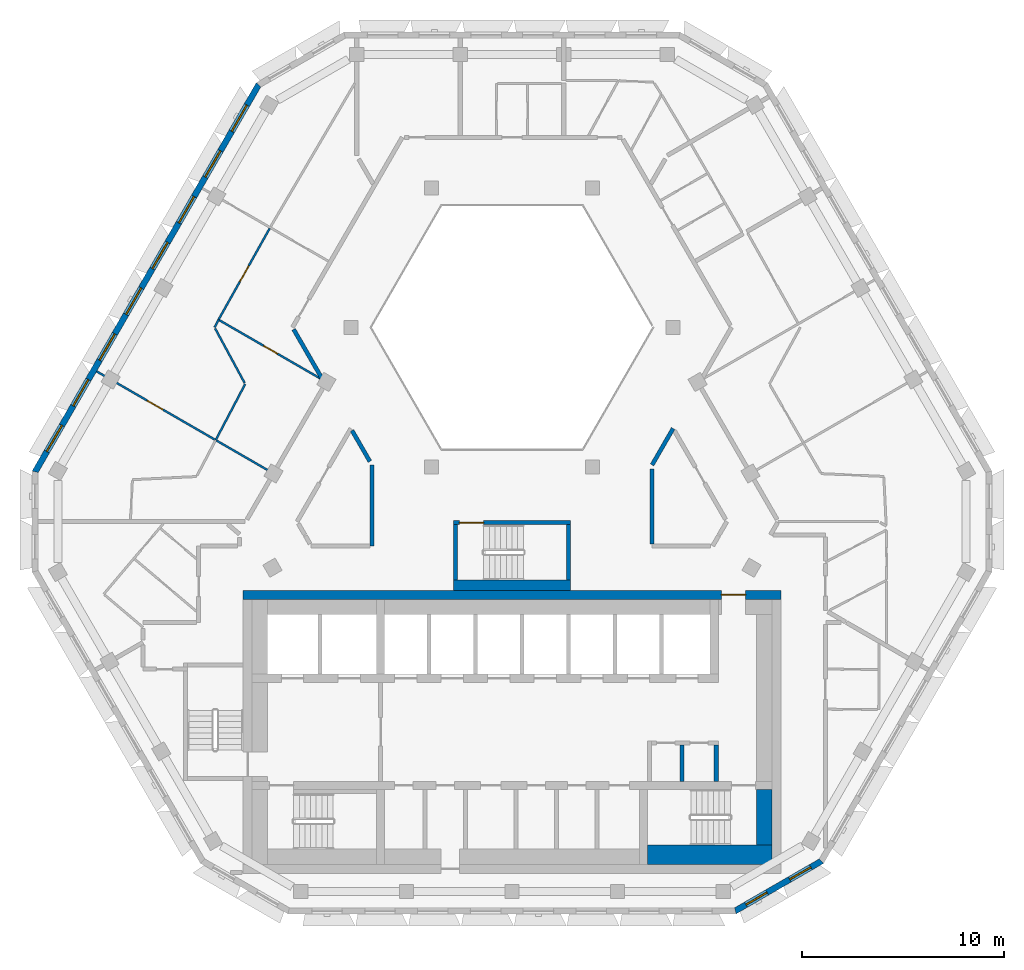
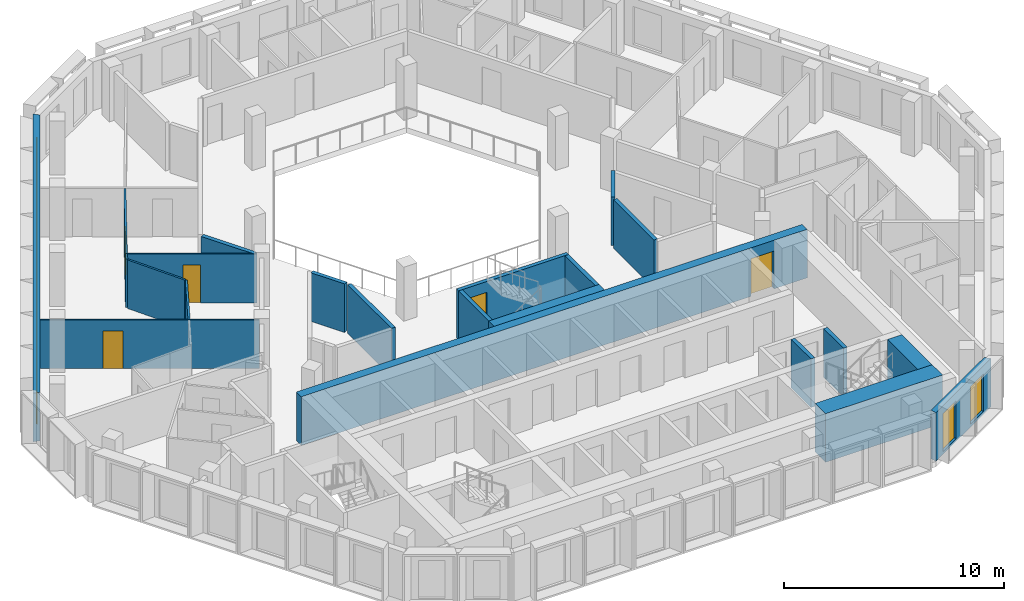
# One storey, part 5 of 16: 22 walls, 10 windows, 5 doors, 15 openings.
"""IFC4 building model written with IfcOpenShell, lengths in metres."""

from ifc_helpers import new_model, si_unit, direction, frame, frame_2d, origin, place, context, subcontext, project, spatial, polyline, rectangle, outline, extrude, material, layer, layer_set, type_object, element, fill, save


model = new_model("IFC4")

# Units and contexts
model_context = context("Model", 3, precision=1e-05, world=origin(), true_north=direction((0.0, 1.0)))
body_context = subcontext(model_context, "Body", "Model", "MODEL_VIEW")
ifc_project = project(units=[si_unit("LENGTHUNIT", "METRE"), si_unit("AREAUNIT", "SQUARE_METRE"), si_unit("VOLUMEUNIT", "CUBIC_METRE"), si_unit("PLANEANGLEUNIT", "RADIAN"), si_unit("MASSUNIT", "GRAM", prefix="KILO")], contexts=[model_context])

# Site, building, storey
site_placement = place(None, origin())
site = spatial("IfcSite", under=ifc_project, at=site_placement, CompositionType="ELEMENT")
building_placement = place(site_placement, origin())
building = spatial("IfcBuilding", under=site, at=building_placement, Name="Beryl Residences", CompositionType="ELEMENT")
storey_placement = place(building_placement, frame((0.0, 0.0, 232.800048828125)))
storey = spatial("IfcBuildingStorey", under=building, at=storey_placement, Name="L72", CompositionType="ELEMENT", Elevation=232.800048828125)

# Wall, openings, windows
ifc_material_1 = material(Name="Composite metal panel with mineral wool insulation")
ifc_layer_1 = layer(ifc_material_1, 0.300048828125)
ifc_layer_set_1 = layer_set([ifc_layer_1], Name="ES1 pale metal composite panel wall 300 mm")
wall_type_1 = type_object("IfcWallType", Name="ES1 pale metal composite panel wall 300 mm", PredefinedType="SOLIDWALL", material=ifc_layer_set_1)
wall_1_placement = place(storey_placement, frame((-12.513916015625, 20.02490234375, 0.0), z_axis=(0.0, 0.0, 1.0), x_axis=(-0.500003656944, -0.866023292436, 0.0)))
wall_1 = element("IfcWall", 1, at=wall_1_placement, inside=storey, type_object=wall_type_1, Name="ES1 external wall L72 NW", PredefinedType="SOLIDWALL", context=body_context, shape_type="SweptSolid", body=[
    extrude(outline(polyline([(0.0, -0.14990234375), (22.170166015625, -0.14990234375), (22.08984375, 0.14990234375), (0.080322265625, 0.14990234375), (0.0, -0.14990234375)])), origin(), (0.0, 0.0, 1.0), 2.699951171875),
])
opening_1_placement = place(wall_1_placement, frame((1.19091796875, 0.0, 0.14990234375)))
opening_1 = element("IfcOpeningElement", 2, at=opening_1_placement, cuts=wall_1, Name="Opening W1", PredefinedType="OPENING", context=body_context, shape_type="SweptSolid", body=[
    extrude(rectangle(XDim=1.5, YDim=2.10009765625, at=frame_2d((0.75, 1.050048828125))), frame((0.0, 0.159912109375, 0.0), z_axis=(0.0, -1.0, 0.0), x_axis=(1.0, 0.0, 0.0)), (0.0, 0.0, 1.0), 0.320068359375),
])
opening_2_placement = place(wall_1_placement, frame((3.803955078125, 0.0, 0.14990234375)))
opening_2 = element("IfcOpeningElement", 3, at=opening_2_placement, cuts=wall_1, Name="Opening W1", PredefinedType="OPENING", context=body_context, shape_type="SweptSolid", body=[
    extrude(rectangle(XDim=1.5, YDim=2.10009765625, at=frame_2d((0.75, 1.050048828125))), frame((0.0, 0.159912109375, 0.0), z_axis=(0.0, -1.0, 0.0), x_axis=(1.0, 0.0, 0.0)), (0.0, 0.0, 1.0), 0.320068359375),
])
opening_3_placement = place(wall_1_placement, frame((6.416015625, 0.0, 0.14990234375)))
opening_3 = element("IfcOpeningElement", 4, at=opening_3_placement, cuts=wall_1, Name="Opening W1", PredefinedType="OPENING", context=body_context, shape_type="SweptSolid", body=[
    extrude(rectangle(XDim=1.5, YDim=2.10009765625, at=frame_2d((0.75, 1.050048828125))), frame((0.0, 0.159912109375, 0.0), z_axis=(0.0, -1.0, 0.0), x_axis=(1.0, 0.0, 0.0)), (0.0, 0.0, 1.0), 0.320068359375),
])
opening_4_placement = place(wall_1_placement, frame((9.029052734375, 0.0, 0.14990234375)))
opening_4 = element("IfcOpeningElement", 5, at=opening_4_placement, cuts=wall_1, Name="Opening W1", PredefinedType="OPENING", context=body_context, shape_type="SweptSolid", body=[
    extrude(rectangle(XDim=1.5, YDim=2.10009765625, at=frame_2d((0.75, 1.050048828125))), frame((0.0, 0.159912109375, 0.0), z_axis=(0.0, -1.0, 0.0), x_axis=(1.0, 0.0, 0.0)), (0.0, 0.0, 1.0), 0.320068359375),
])
opening_5_placement = place(wall_1_placement, frame((11.64111328125, 0.0, 0.14990234375)))
opening_5 = element("IfcOpeningElement", 6, at=opening_5_placement, cuts=wall_1, Name="Opening W1", PredefinedType="OPENING", context=body_context, shape_type="SweptSolid", body=[
    extrude(rectangle(XDim=1.5, YDim=2.10009765625, at=frame_2d((0.75, 1.050048828125))), frame((0.0, 0.159912109375, 0.0), z_axis=(0.0, -1.0, 0.0), x_axis=(1.0, 0.0, 0.0)), (0.0, 0.0, 1.0), 0.320068359375),
])
opening_6_placement = place(wall_1_placement, frame((14.25390625, 0.0, 0.14990234375)))
opening_6 = element("IfcOpeningElement", 7, at=opening_6_placement, cuts=wall_1, Name="Opening W1", PredefinedType="OPENING", context=body_context, shape_type="SweptSolid", body=[
    extrude(rectangle(XDim=1.5, YDim=2.10009765625, at=frame_2d((0.75, 1.050048828125))), frame((0.0, 0.159912109375, 0.0), z_axis=(0.0, -1.0, 0.0), x_axis=(1.0, 0.0, 0.0)), (0.0, 0.0, 1.0), 0.320068359375),
])
opening_7_placement = place(wall_1_placement, frame((16.865966796875, 0.0, 0.14990234375)))
opening_7 = element("IfcOpeningElement", 8, at=opening_7_placement, cuts=wall_1, Name="Opening W1", PredefinedType="OPENING", context=body_context, shape_type="SweptSolid", body=[
    extrude(rectangle(XDim=1.5, YDim=2.10009765625, at=frame_2d((0.75, 1.050048828125))), frame((0.0, 0.159912109375, 0.0), z_axis=(0.0, -1.0, 0.0), x_axis=(1.0, 0.0, 0.0)), (0.0, 0.0, 1.0), 0.320068359375),
])
opening_8_placement = place(wall_1_placement, frame((19.47900390625, 0.0, 0.14990234375)))
opening_8 = element("IfcOpeningElement", 9, at=opening_8_placement, cuts=wall_1, Name="Opening W1", PredefinedType="OPENING", context=body_context, shape_type="SweptSolid", body=[
    extrude(rectangle(XDim=1.5, YDim=2.10009765625, at=frame_2d((0.75, 1.050048828125))), frame((0.0, 0.159912109375, 0.0), z_axis=(0.0, -1.0, 0.0), x_axis=(1.0, 0.0, 0.0)), (0.0, 0.0, 1.0), 0.320068359375),
])
ifc_material_2 = material(Name="Aluminium and clear glass", Category="aluminium")
window_type_1 = type_object("IfcWindowType", Name="W1 cell window 1500 x 2100 mm", PartitioningType="SINGLE_PANEL", PredefinedType="WINDOW", material=ifc_material_2)
window_1_placement = place(opening_1_placement, origin())
window_1 = element("IfcWindow", 10, at=window_1_placement, inside=storey, type_object=window_type_1, Name="W1 window L72 NW 1", OverallHeight=2.10009765625, OverallWidth=1.5, PartitioningType="SINGLE_PANEL", PredefinedType="WINDOW", context=body_context, shape_type="SweptSolid", body=[
    extrude(rectangle(XDim=1.5, YDim=2.10009765625, at=frame_2d((0.75, 1.050048828125))), frame((0.0, 0.030029296875, 0.0), z_axis=(0.0, -1.0, 0.0), x_axis=(1.0, 0.0, 0.0)), (0.0, 0.0, 1.0), 0.06005859375),
])
fill(opening_1, window_1)
window_2_placement = place(opening_2_placement, origin())
window_2 = element("IfcWindow", 11, at=window_2_placement, inside=storey, type_object=window_type_1, Name="W1 window L72 NW 2", OverallHeight=2.10009765625, OverallWidth=1.5, PartitioningType="SINGLE_PANEL", PredefinedType="WINDOW", context=body_context, shape_type="SweptSolid", body=[
    extrude(rectangle(XDim=1.5, YDim=2.10009765625, at=frame_2d((0.75, 1.050048828125))), frame((0.0, 0.030029296875, 0.0), z_axis=(0.0, -1.0, 0.0), x_axis=(1.0, 0.0, 0.0)), (0.0, 0.0, 1.0), 0.06005859375),
])
fill(opening_2, window_2)
window_3_placement = place(opening_3_placement, origin())
window_3 = element("IfcWindow", 12, at=window_3_placement, inside=storey, type_object=window_type_1, Name="W1 window L72 NW 3", OverallHeight=2.10009765625, OverallWidth=1.5, PartitioningType="SINGLE_PANEL", PredefinedType="WINDOW", context=body_context, shape_type="SweptSolid", body=[
    extrude(rectangle(XDim=1.5, YDim=2.10009765625, at=frame_2d((0.75, 1.050048828125))), frame((0.0, 0.030029296875, 0.0), z_axis=(0.0, -1.0, 0.0), x_axis=(1.0, 0.0, 0.0)), (0.0, 0.0, 1.0), 0.06005859375),
])
fill(opening_3, window_3)
window_4_placement = place(opening_4_placement, origin())
window_4 = element("IfcWindow", 13, at=window_4_placement, inside=storey, type_object=window_type_1, Name="W1 window L72 NW 4", OverallHeight=2.10009765625, OverallWidth=1.5, PartitioningType="SINGLE_PANEL", PredefinedType="WINDOW", context=body_context, shape_type="SweptSolid", body=[
    extrude(rectangle(XDim=1.5, YDim=2.10009765625, at=frame_2d((0.75, 1.050048828125))), frame((0.0, 0.030029296875, 0.0), z_axis=(0.0, -1.0, 0.0), x_axis=(1.0, 0.0, 0.0)), (0.0, 0.0, 1.0), 0.06005859375),
])
fill(opening_4, window_4)
window_5_placement = place(opening_5_placement, origin())
window_5 = element("IfcWindow", 14, at=window_5_placement, inside=storey, type_object=window_type_1, Name="W1 window L72 NW 5", OverallHeight=2.10009765625, OverallWidth=1.5, PartitioningType="SINGLE_PANEL", PredefinedType="WINDOW", context=body_context, shape_type="SweptSolid", body=[
    extrude(rectangle(XDim=1.5, YDim=2.10009765625, at=frame_2d((0.75, 1.050048828125))), frame((0.0, 0.030029296875, 0.0), z_axis=(0.0, -1.0, 0.0), x_axis=(1.0, 0.0, 0.0)), (0.0, 0.0, 1.0), 0.06005859375),
])
fill(opening_5, window_5)
window_6_placement = place(opening_6_placement, origin())
window_6 = element("IfcWindow", 15, at=window_6_placement, inside=storey, type_object=window_type_1, Name="W1 window L72 NW 6", OverallHeight=2.10009765625, OverallWidth=1.5, PartitioningType="SINGLE_PANEL", PredefinedType="WINDOW", context=body_context, shape_type="SweptSolid", body=[
    extrude(rectangle(XDim=1.5, YDim=2.10009765625, at=frame_2d((0.75, 1.050048828125))), frame((0.0, 0.030029296875, 0.0), z_axis=(0.0, -1.0, 0.0), x_axis=(1.0, 0.0, 0.0)), (0.0, 0.0, 1.0), 0.06005859375),
])
fill(opening_6, window_6)
window_7_placement = place(opening_7_placement, origin())
window_7 = element("IfcWindow", 16, at=window_7_placement, inside=storey, type_object=window_type_1, Name="W1 window L72 NW 7", OverallHeight=2.10009765625, OverallWidth=1.5, PartitioningType="SINGLE_PANEL", PredefinedType="WINDOW", context=body_context, shape_type="SweptSolid", body=[
    extrude(rectangle(XDim=1.5, YDim=2.10009765625, at=frame_2d((0.75, 1.050048828125))), frame((0.0, 0.030029296875, 0.0), z_axis=(0.0, -1.0, 0.0), x_axis=(1.0, 0.0, 0.0)), (0.0, 0.0, 1.0), 0.06005859375),
])
fill(opening_7, window_7)
window_8_placement = place(opening_8_placement, origin())
window_8 = element("IfcWindow", 17, at=window_8_placement, inside=storey, type_object=window_type_1, Name="W1 window L72 NW 8", OverallHeight=2.10009765625, OverallWidth=1.5, PartitioningType="SINGLE_PANEL", PredefinedType="WINDOW", context=body_context, shape_type="SweptSolid", body=[
    extrude(rectangle(XDim=1.5, YDim=2.10009765625, at=frame_2d((0.75, 1.050048828125))), frame((0.0, 0.030029296875, 0.0), z_axis=(0.0, -1.0, 0.0), x_axis=(1.0, 0.0, 0.0)), (0.0, 0.0, 1.0), 0.06005859375),
])
fill(opening_8, window_8)

wall_2_placement = place(storey_placement, frame((11.010009765625, -20.8701171875, 0.0), z_axis=(0.0, 0.0, 1.0), x_axis=(0.866022959057, 0.500004234368, 0.0)))
wall_2 = element("IfcWall", 18, at=wall_2_placement, inside=storey, type_object=wall_type_1, Name="ES1 external wall L72 S-SE", PredefinedType="SOLIDWALL", context=body_context, shape_type="SweptSolid", body=[
    extrude(outline(polyline([(0.0, -0.14990234375), (5.0, -0.14990234375), (4.919677734375, 0.14990234375), (0.080322265625, 0.14990234375), (0.0, -0.14990234375)])), origin(), (0.0, 0.0, 1.0), 2.699951171875),
])
opening_9_placement = place(wall_2_placement, frame((0.64990234375, 0.0, 0.14990234375)))
opening_9 = element("IfcOpeningElement", 19, at=opening_9_placement, cuts=wall_2, Name="Opening W2", PredefinedType="OPENING", context=body_context, shape_type="SweptSolid", body=[
    extrude(rectangle(XDim=1.199951171875, YDim=2.10009765625, at=frame_2d((0.60009765625, 1.050048828125))), frame((0.0, 0.159912109375, 0.0), z_axis=(0.0, -1.0, 0.0), x_axis=(1.0, 0.0, 0.0)), (0.0, 0.0, 1.0), 0.320068359375),
])
opening_10_placement = place(wall_2_placement, frame((3.14892578125, 0.0, 0.14990234375)))
opening_10 = element("IfcOpeningElement", 20, at=opening_10_placement, cuts=wall_2, Name="Opening W2", PredefinedType="OPENING", context=body_context, shape_type="SweptSolid", body=[
    extrude(rectangle(XDim=1.199951171875, YDim=2.10009765625, at=frame_2d((0.60009765625, 1.050048828125))), frame((0.0, 0.159912109375, 0.0), z_axis=(0.0, -1.0, 0.0), x_axis=(1.0, 0.0, 0.0)), (0.0, 0.0, 1.0), 0.320068359375),
])
ifc_material_3 = material(Name="Aluminium and clear glass", Category="aluminium")
window_type_2 = type_object("IfcWindowType", Name="W2 chamfer window 1200 x 2100 mm", PartitioningType="SINGLE_PANEL", PredefinedType="WINDOW", material=ifc_material_3)
window_9_placement = place(opening_9_placement, origin())
window_9 = element("IfcWindow", 21, at=window_9_placement, inside=storey, type_object=window_type_2, Name="W2 window L72 S-SE 1", OverallHeight=2.10009765625, OverallWidth=1.199951171875, PartitioningType="SINGLE_PANEL", PredefinedType="WINDOW", context=body_context, shape_type="SweptSolid", body=[
    extrude(rectangle(XDim=1.199951171875, YDim=2.10009765625, at=frame_2d((0.60009765625, 1.050048828125))), frame((0.0, 0.030029296875, 0.0), z_axis=(0.0, -1.0, 0.0), x_axis=(1.0, 0.0, 0.0)), (0.0, 0.0, 1.0), 0.06005859375),
])
fill(opening_9, window_9)
window_10_placement = place(opening_10_placement, origin())
window_10 = element("IfcWindow", 22, at=window_10_placement, inside=storey, type_object=window_type_2, Name="W2 window L72 S-SE 2", OverallHeight=2.10009765625, OverallWidth=1.199951171875, PartitioningType="SINGLE_PANEL", PredefinedType="WINDOW", context=body_context, shape_type="SweptSolid", body=[
    extrude(rectangle(XDim=1.199951171875, YDim=2.10009765625, at=frame_2d((0.60009765625, 1.050048828125))), frame((0.0, 0.030029296875, 0.0), z_axis=(0.0, -1.0, 0.0), x_axis=(1.0, 0.0, 0.0)), (0.0, 0.0, 1.0), 0.06005859375),
])
fill(opening_10, window_10)

# Wall
ifc_material_4 = material(Name="Gypsum board partition on steel studs", Category="steel")
ifc_layer_2 = layer(ifc_material_4, 0.10009765625)
ifc_layer_set_2 = layer_set([ifc_layer_2], Name="PT1 partition 100 mm gypsum board on steel studs")
wall_type_2 = type_object("IfcWallType", Name="PT1 partition 100 mm gypsum board on steel studs", PredefinedType="PARTITIONING", material=ifc_layer_set_2)
wall_3_placement = place(storey_placement, frame((-14.679931640625, 7.947021484375, 0.0), z_axis=(0.0, 0.0, 1.0), x_axis=(0.475823637798, -0.879540712936, 0.0)))
element("IfcWall", 23, at=wall_3_placement, inside=storey, type_object=wall_type_2, Name="Wall PT1 L72 008", PredefinedType="PARTITIONING", context=body_context, shape_type="SweptSolid", body=[
    extrude(rectangle(XDim=3.064208984375, YDim=0.10009765625, at=frame_2d((1.5322265625, 0.0))), origin(), (0.0, 0.0, 1.0), 2.699951171875),
])

# Wall, opening, door
wall_4_placement = place(storey_placement, frame((-20.5390625, 5.824951171875, 0.0), z_axis=(0.0, 0.0, 1.0), x_axis=(0.866047370643, -0.499961950354, 0.0)))
wall_4 = element("IfcWall", 24, at=wall_4_placement, inside=storey, type_object=wall_type_2, Name="Wall PT1 L72 013", PredefinedType="PARTITIONING", context=body_context, shape_type="SweptSolid", body=[
    extrude(rectangle(XDim=10.000732421875, YDim=0.10009765625, at=frame_2d((5.00048828125, 0.0))), origin(), (0.0, 0.0, 1.0), 2.699951171875),
])
opening_11_placement = place(wall_4_placement, frame((2.886962890625, 0.0, 0.0)))
opening_11 = element("IfcOpeningElement", 25, at=opening_11_placement, cuts=wall_4, Name="Opening D1929", PredefinedType="OPENING", context=body_context, shape_type="SweptSolid", body=[
    extrude(rectangle(XDim=0.89990234375, YDim=2.10009765625, at=frame_2d((0.449951171875, 1.050048828125))), frame((0.0, 0.06005859375, 0.0), z_axis=(0.0, -1.0, 0.0), x_axis=(1.0, 0.0, 0.0)), (0.0, 0.0, 1.0), 0.1201171875),
])
ifc_material_5 = material(Name="Timber door leaf", Category="wood")
door_type_1 = type_object("IfcDoorType", Name="D2 room door 900 x 2100 mm", OperationType="SINGLE_SWING_LEFT", PredefinedType="DOOR", material=ifc_material_5)
door_1_placement = place(opening_11_placement, origin())
door_1 = element("IfcDoor", 26, at=door_1_placement, inside=storey, type_object=door_type_1, Name="Door D1929 L72 001", OperationType="SINGLE_SWING_LEFT", OverallHeight=2.10009765625, OverallWidth=0.89990234375, PredefinedType="DOOR", context=body_context, shape_type="SweptSolid", body=[
    extrude(rectangle(XDim=0.89990234375, YDim=2.10009765625, at=frame_2d((0.449951171875, 1.050048828125))), frame((0.0, 0.02490234375, 0.0), z_axis=(0.0, -1.0, 0.0), x_axis=(1.0, 0.0, 0.0)), (0.0, 0.0, 1.0), 0.050048828125),
])
fill(opening_11, door_1)

wall_5_placement = place(storey_placement, frame((-14.469970703125, 8.35400390625, 0.0), z_axis=(0.0, 0.0, 1.0), x_axis=(0.866067902578, -0.499926382705, 0.0)))
wall_5 = element("IfcWall", 27, at=wall_5_placement, inside=storey, type_object=wall_type_2, Name="Wall PT1 L72 014", PredefinedType="PARTITIONING", context=body_context, shape_type="SweptSolid", body=[
    extrude(rectangle(XDim=5.9072265625, YDim=0.10009765625, at=frame_2d((2.95361328125, 0.0))), origin(), (0.0, 0.0, 1.0), 2.699951171875),
])
opening_12_placement = place(wall_5_placement, frame((2.529052734375, 0.0, 0.0)))
opening_12 = element("IfcOpeningElement", 28, at=opening_12_placement, cuts=wall_5, Name="Opening D1926", PredefinedType="OPENING", context=body_context, shape_type="SweptSolid", body=[
    extrude(rectangle(XDim=0.800048828125, YDim=2.10009765625, at=frame_2d((0.39990234375, 1.050048828125))), frame((0.0, 0.06005859375, 0.0), z_axis=(0.0, -1.0, 0.0), x_axis=(1.0, 0.0, 0.0)), (0.0, 0.0, 1.0), 0.1201171875),
])
ifc_material_6 = material(Name="Timber door leaf", Category="wood")
door_type_2 = type_object("IfcDoorType", Name="D3 bathroom door 800 x 2100 mm", OperationType="SINGLE_SWING_LEFT", PredefinedType="DOOR", material=ifc_material_6)
door_2_placement = place(opening_12_placement, origin())
door_2 = element("IfcDoor", 29, at=door_2_placement, inside=storey, type_object=door_type_2, Name="Door D1926 L72 001", OperationType="SINGLE_SWING_RIGHT", OverallHeight=2.10009765625, OverallWidth=0.800048828125, PredefinedType="DOOR", context=body_context, shape_type="SweptSolid", body=[
    extrude(rectangle(XDim=0.800048828125, YDim=2.10009765625, at=frame_2d((0.39990234375, 1.050048828125))), frame((0.0, 0.02490234375, 0.0), z_axis=(0.0, -1.0, 0.0), x_axis=(1.0, 0.0, 0.0)), (0.0, 0.0, 1.0), 0.050048828125),
])
fill(opening_12, door_2)

wall_6_placement = place(storey_placement, frame((-14.52197265625, 8.362060546875, 0.0), z_axis=(0.0, 0.0, 1.0), x_axis=(0.488772229601, 0.872411432508, 0.0)))
wall_6 = element("IfcWall", 30, at=wall_6_placement, inside=storey, type_object=wall_type_2, Name="Wall PT1 L72 026", PredefinedType="PARTITIONING", context=body_context, shape_type="SweptSolid", body=[
    extrude(rectangle(XDim=5.19482421875, YDim=0.10009765625, at=frame_2d((2.597412109375, 0.0))), origin(), (0.0, 0.0, 1.0), 2.699951171875),
])
opening_13_placement = place(wall_6_placement, frame((2.173095703125, 0.0, 0.0)))
opening_13 = element("IfcOpeningElement", 31, at=opening_13_placement, cuts=wall_6, Name="Opening D1927", PredefinedType="OPENING", context=body_context, shape_type="SweptSolid", body=[
    extrude(rectangle(XDim=0.89990234375, YDim=2.10009765625, at=frame_2d((0.449951171875, 1.050048828125))), frame((0.0, 0.06005859375, 0.0), z_axis=(0.0, -1.0, 0.0), x_axis=(1.0, 0.0, 0.0)), (0.0, 0.0, 1.0), 0.1201171875),
])
door_3_placement = place(opening_13_placement, origin())
door_3 = element("IfcDoor", 32, at=door_3_placement, inside=storey, type_object=door_type_1, Name="Door D1927 L72 001", OperationType="SINGLE_SWING_LEFT", OverallHeight=2.10009765625, OverallWidth=0.89990234375, PredefinedType="DOOR", context=body_context, shape_type="SweptSolid", body=[
    extrude(rectangle(XDim=0.89990234375, YDim=2.10009765625, at=frame_2d((0.449951171875, 1.050048828125))), frame((0.0, 0.02490234375, 0.0), z_axis=(0.0, -1.0, 0.0), x_axis=(1.0, 0.0, 0.0)), (0.0, 0.0, 1.0), 0.050048828125),
])
fill(opening_13, door_3)

# Walls
wall_7_placement = place(storey_placement, frame((-14.708984375, 8.0, 0.0), z_axis=(0.0, 0.0, 1.0), x_axis=(0.458976923864, 0.888448188337, 0.0)))
element("IfcWall", 33, at=wall_7_placement, inside=storey, type_object=wall_type_2, Name="Wall PT1 L72 030", PredefinedType="PARTITIONING", context=body_context, shape_type="SweptSolid", body=[
    extrude(rectangle(XDim=0.44677734375, YDim=0.10009765625, at=frame_2d((0.223388671875, 0.0))), origin(), (0.0, 0.0, 1.0), 2.699951171875),
])
wall_8_placement = place(storey_placement, frame((-14.652099609375, 2.426025390625, 0.0), z_axis=(0.0, 0.0, 1.0), x_axis=(0.465502421984, 0.885046606189, 0.0)))
element("IfcWall", 34, at=wall_8_placement, inside=storey, type_object=wall_type_2, Name="Wall PT1 L72 045", PredefinedType="PARTITIONING", context=body_context, shape_type="SweptSolid", body=[
    extrude(rectangle(XDim=3.13427734375, YDim=0.10009765625, at=frame_2d((1.567138671875, 0.0))), origin(), (0.0, 0.0, 1.0), 2.699951171875),
])
ifc_material_7 = material(Name="Concrete masonry", Category="masonry")
ifc_layer_3 = layer(ifc_material_7, 0.199951171875)
ifc_layer_set_3 = layer_set([ifc_layer_3], Name="PT13 lobby wall 200 mm")
wall_type_3 = type_object("IfcWallType", Name="PT13 lobby wall 200 mm", PredefinedType="PARTITIONING", material=ifc_layer_set_3)
wall_9_placement = place(storey_placement, frame((10.10009765625, -14.449951171875, 0.0), z_axis=(0.0, 0.0, 1.0), x_axis=(0.0, 1.0, 0.0)))
element("IfcWall", 35, at=wall_9_placement, inside=storey, type_object=wall_type_3, Name="Lobby wall 31", PredefinedType="PARTITIONING", context=body_context, shape_type="SweptSolid", body=[
    extrude(rectangle(XDim=1.800048828125, YDim=0.199951171875, at=frame_2d((0.89990234375, 0.0))), origin(), (0.0, 0.0, 1.0), 2.699951171875),
])
ifc_material_8 = material(Name="Double stud gypsum board wall")
ifc_layer_4 = layer(ifc_material_8, 0.199951171875)
ifc_layer_set_4 = layer_set([ifc_layer_4], Name="PT4 corridor wall 200 mm double stud")
wall_type_4 = type_object("IfcWallType", Name="PT4 corridor wall 200 mm double stud", PredefinedType="PARTITIONING", material=ifc_layer_set_4)
wall_10_placement = place(storey_placement, frame((-10.7958984375, 7.89990234375, 0.0), z_axis=(0.0, 0.0, 1.0), x_axis=(0.499674397761, -0.866213308731, 0.0)))
element("IfcWall", 36, at=wall_10_placement, inside=storey, type_object=wall_type_4, Name="Wall PT4 L72 001", PredefinedType="PARTITIONING", context=body_context, shape_type="SweptSolid", body=[
    extrude(rectangle(XDim=2.785400390625, YDim=0.199951171875, at=frame_2d((1.392578125, 0.0))), origin(), (0.0, 0.0, 1.0), 2.699951171875),
])
wall_11_placement = place(storey_placement, frame((-7.908935546875, 2.89794921875, 0.0), z_axis=(0.0, 0.0, 1.0), x_axis=(0.50019444547, -0.865913111531, 0.0)))
element("IfcWall", 37, at=wall_11_placement, inside=storey, type_object=wall_type_4, Name="Wall PT4 L72 002", PredefinedType="PARTITIONING", context=body_context, shape_type="SweptSolid", body=[
    extrude(rectangle(XDim=1.760986328125, YDim=0.199951171875, at=frame_2d((0.88037109375, 0.0))), origin(), (0.0, 0.0, 1.0), 2.699951171875),
])
wall_12_placement = place(storey_placement, frame((6.927978515625, 1.0, 0.0), z_axis=(0.0, 0.0, 1.0), x_axis=(0.0, -1.0, 0.0)))
element("IfcWall", 38, at=wall_12_placement, inside=storey, type_object=wall_type_4, Name="Wall PT4 L72 009", PredefinedType="PARTITIONING", context=body_context, shape_type="SweptSolid", body=[
    extrude(rectangle(XDim=3.698974609375, YDim=0.199951171875, at=frame_2d((1.849609375, 0.0))), origin(), (0.0, 0.0, 1.0), 2.699951171875),
])
wall_13_placement = place(storey_placement, frame((6.927978515625, 1.199951171875, 0.0), z_axis=(0.0, 0.0, 1.0), x_axis=(0.500132712588, 0.865948768577, 0.0)))
element("IfcWall", 39, at=wall_13_placement, inside=storey, type_object=wall_type_4, Name="Wall PT4 L72 018", PredefinedType="PARTITIONING", context=body_context, shape_type="SweptSolid", body=[
    extrude(rectangle(XDim=2.07763671875, YDim=0.199951171875, at=frame_2d((1.038818359375, 0.0))), origin(), (0.0, 0.0, 1.0), 2.699951171875),
])
wall_14_placement = place(storey_placement, frame((-6.927978515625, -2.799072265625, 0.0), z_axis=(0.0, 0.0, 1.0), x_axis=(0.0, 1.0, 0.0)))
element("IfcWall", 40, at=wall_14_placement, inside=storey, type_object=wall_type_4, Name="Wall PT4 L72 028", PredefinedType="PARTITIONING", context=body_context, shape_type="SweptSolid", body=[
    extrude(rectangle(XDim=3.9990234375, YDim=0.199951171875, at=frame_2d((1.99951171875, 0.0))), origin(), (0.0, 0.0, 1.0), 2.699951171875),
])

# Wall, opening, door
ifc_material_9 = material(Name="Concrete C40/50", Category="concrete")
ifc_layer_5 = layer(ifc_material_9, 0.199951171875)
ifc_layer_set_5 = layer_set([ifc_layer_5], Name="PT5 stair enclosure wall 200 mm reinforced concrete C40/50")
wall_type_5 = type_object("IfcWallType", Name="PT5 stair enclosure wall 200 mm reinforced concrete C40/50", PredefinedType="SOLIDWALL", material=ifc_layer_set_5)
wall_15_placement = place(storey_placement, frame((-2.89990234375, -1.64990234375, 0.0), z_axis=(0.0, 0.0, 1.0), x_axis=(1.0, 0.0, 0.0)))
wall_15 = element("IfcWall", 41, at=wall_15_placement, inside=storey, type_object=wall_type_5, Name="Wall PT5 L72 001", PredefinedType="SOLIDWALL", context=body_context, shape_type="SweptSolid", body=[
    extrude(rectangle(XDim=5.7998046875, YDim=0.199951171875, at=frame_2d((2.89990234375, 0.0))), origin(), (0.0, 0.0, 1.0), 2.699951171875),
])
opening_14_placement = place(wall_15_placement, frame((0.300048828125, 0.0, 0.0)))
opening_14 = element("IfcOpeningElement", 42, at=opening_14_placement, cuts=wall_15, Name="Opening DS04", PredefinedType="OPENING", context=body_context, shape_type="SweptSolid", body=[
    extrude(rectangle(XDim=1.199951171875, YDim=2.10009765625, at=frame_2d((0.60009765625, 1.050048828125))), frame((0.0, 0.10986328125, 0.0), z_axis=(0.0, -1.0, 0.0), x_axis=(1.0, 0.0, 0.0)), (0.0, 0.0, 1.0), 0.219970703125),
])
ifc_material_10 = material(Name="Steel door leaf in steel frame", Category="steel")
door_type_3 = type_object("IfcDoorType", Name="D4 stair door 1200 x 2100 mm", OperationType="SINGLE_SWING_LEFT", PredefinedType="DOOR", material=ifc_material_10)
door_4_placement = place(opening_14_placement, origin())
door_4 = element("IfcDoor", 43, at=door_4_placement, inside=storey, type_object=door_type_3, Name="Door DS04 L72 001", OperationType="SINGLE_SWING_LEFT", OverallHeight=2.10009765625, OverallWidth=1.199951171875, PredefinedType="DOOR", context=body_context, shape_type="SweptSolid", body=[
    extrude(rectangle(XDim=1.199951171875, YDim=2.10009765625, at=frame_2d((0.60009765625, 1.050048828125))), frame((0.0, 0.02490234375, 0.0), z_axis=(0.0, -1.0, 0.0), x_axis=(1.0, 0.0, 0.0)), (0.0, 0.0, 1.0), 0.050048828125),
])
fill(opening_14, door_4)

# Walls
for number, where, z_axis, x_axis, name in (
    (44, (-2.800048828125, -4.5, 0.0), (0.0, 0.0, 1.0), (0.0, 1.0, 0.0), "Wall PT5 L72 002"),
    (45, (2.800048828125, -4.5, 0.0), (0.0, 0.0, 1.0), (0.0, 1.0, 0.0), "Wall PT5 L72 003"),
):
    element("IfcWall", number, at=place(storey_placement, frame(where, z_axis=z_axis, x_axis=x_axis)), inside=storey, type_object=wall_type_5, Name=name, PredefinedType="SOLIDWALL", context=body_context, shape_type="SweptSolid", body=[
        extrude(rectangle(XDim=2.75, YDim=0.199951171875, at=frame_2d((1.375, 0.0))), origin(), (0.0, 0.0, 1.0), 2.699951171875),
    ])
ifc_material_11 = material(Name="Concrete C40/50", Category="concrete")
ifc_layer_6 = layer(ifc_material_11, 0.5)
ifc_layer_set_6 = layer_set([ifc_layer_6], Name="PT5-500 stair enclosure wall 500 mm")
wall_type_6 = type_object("IfcWallType", Name="PT5-500 stair enclosure wall 500 mm", PredefinedType="SOLIDWALL", material=ifc_layer_set_6)
wall_16_placement = place(storey_placement, frame((-2.89990234375, -4.75, 0.0), z_axis=(0.0, 0.0, 1.0), x_axis=(1.0, 0.0, 0.0)))
element("IfcWall", 46, at=wall_16_placement, inside=storey, type_object=wall_type_6, Name="Wall PT5-500 L72 001", PredefinedType="SOLIDWALL", context=body_context, shape_type="SweptSolid", body=[
    extrude(rectangle(XDim=5.7998046875, YDim=0.5, at=frame_2d((2.89990234375, 0.0))), origin(), (0.0, 0.0, 1.0), 2.699951171875),
])
ifc_material_12 = material(Name="Concrete C40/50", Category="concrete")
ifc_layer_7 = layer(ifc_material_12, 0.75)
ifc_layer_set_7 = layer_set([ifc_layer_7], Name="PT5-750 stair enclosure wall 750 mm")
wall_type_7 = type_object("IfcWallType", Name="PT5-750 stair enclosure wall 750 mm", PredefinedType="SOLIDWALL", material=ifc_layer_set_7)
wall_17_placement = place(storey_placement, frame((12.47509765625, -17.60009765625, 0.0), z_axis=(0.0, 0.0, 1.0), x_axis=(0.0, 1.0, 0.0)))
element("IfcWall", 47, at=wall_17_placement, inside=storey, type_object=wall_type_7, Name="Stair wall 34", PredefinedType="SOLIDWALL", context=body_context, shape_type="SweptSolid", body=[
    extrude(rectangle(XDim=2.75, YDim=0.75, at=frame_2d((1.375, 0.0))), origin(), (0.0, 0.0, 1.0), 2.699951171875),
])
ifc_material_13 = material(Name="Concrete C40/50", Category="concrete")
ifc_layer_8 = layer(ifc_material_13, 0.949951171875)
ifc_layer_set_8 = layer_set([ifc_layer_8], Name="PT5-950 stair enclosure wall 950 mm")
wall_type_8 = type_object("IfcWallType", Name="PT5-950 stair enclosure wall 950 mm", PredefinedType="SOLIDWALL", material=ifc_layer_set_8)
wall_18_placement = place(storey_placement, frame((6.699951171875, -18.074951171875, 0.0), z_axis=(0.0, 0.0, 1.0), x_axis=(1.0, 0.0, 0.0)))
element("IfcWall", 48, at=wall_18_placement, inside=storey, type_object=wall_type_8, Name="Stair wall 26", PredefinedType="SOLIDWALL", context=body_context, shape_type="SweptSolid", body=[
    extrude(rectangle(XDim=6.150146484375, YDim=0.949951171875, at=frame_2d((3.0751953125, 0.0))), origin(), (0.0, 0.0, 1.0), 2.699951171875),
])
ifc_material_14 = material(Name="Concrete masonry", Category="masonry")
ifc_layer_9 = layer(ifc_material_14, 0.199951171875)
ifc_layer_set_9 = layer_set([ifc_layer_9], Name="PT8-200 service room wall 200 mm")
wall_type_9 = type_object("IfcWallType", Name="PT8-200 service room wall 200 mm", PredefinedType="PARTITIONING", material=ifc_layer_set_9)
wall_19_placement = place(storey_placement, frame((8.39990234375, -14.449951171875, 0.0), z_axis=(0.0, 0.0, 1.0), x_axis=(0.0, 1.0, 0.0)))
element("IfcWall", 49, at=wall_19_placement, inside=storey, type_object=wall_type_9, Name="Core room wall 30", PredefinedType="PARTITIONING", context=body_context, shape_type="SweptSolid", body=[
    extrude(rectangle(XDim=1.800048828125, YDim=0.199951171875, at=frame_2d((0.89990234375, 0.0))), origin(), (0.0, 0.0, 1.0), 2.699951171875),
])

# Wall, opening, door
ifc_material_15 = material(Name="Concrete C50/60", Category="concrete")
ifc_layer_10 = layer(ifc_material_15, 0.449951171875)
ifc_layer_set_10 = layer_set([ifc_layer_10], Name="SW5 core outer wall 450 mm C50/60")
wall_type_10 = type_object("IfcWallType", Name="SW5 core outer wall 450 mm C50/60", PredefinedType="SHEAR", material=ifc_layer_set_10)
wall_20_placement = place(storey_placement, frame((-13.300048828125, -5.22509765625, 0.0), z_axis=(0.0, 0.0, 1.0), x_axis=(1.0, 0.0, 0.0)))
wall_20 = element("IfcWall", 50, at=wall_20_placement, inside=storey, type_object=wall_type_10, Name="Core wall N L72", PredefinedType="SHEAR", context=body_context, shape_type="SweptSolid", body=[
    extrude(rectangle(XDim=26.60009765625, YDim=0.449951171875, at=frame_2d((13.300048828125, 0.0))), origin(), (0.0, 0.0, 1.0), 2.699951171875),
])
opening_15_placement = place(wall_20_placement, frame((23.64990234375, 0.0, 0.0)))
opening_15 = element("IfcOpeningElement", 51, at=opening_15_placement, cuts=wall_20, Name="Opening FD-NORTH", PredefinedType="OPENING", context=body_context, shape_type="SweptSolid", body=[
    extrude(rectangle(XDim=1.199951171875, YDim=2.10009765625, at=frame_2d((0.60009765625, 1.050048828125))), frame((0.0, 0.23486328125, 0.0), z_axis=(0.0, -1.0, 0.0), x_axis=(1.0, 0.0, 0.0)), (0.0, 0.0, 1.0), 0.469970703125),
])
ifc_material_16 = material(Name="Steel door leaf in steel frame", Category="steel")
door_type_4 = type_object("IfcDoorType", Name="D22 lobby door 1200 x 2100 mm", OperationType="DOUBLE_DOOR_SINGLE_SWING", PredefinedType="DOOR", material=ifc_material_16)
door_5_placement = place(opening_15_placement, origin())
door_5 = element("IfcDoor", 52, at=door_5_placement, inside=storey, type_object=door_type_4, Name="Door FD-NORTH L72 001", OperationType="DOUBLE_DOOR_SINGLE_SWING", OverallHeight=2.10009765625, OverallWidth=1.199951171875, PredefinedType="DOOR", context=body_context, shape_type="SweptSolid", body=[
    extrude(rectangle(XDim=1.199951171875, YDim=2.10009765625, at=frame_2d((0.60009765625, 1.050048828125))), frame((0.0, 0.02490234375, 0.0), z_axis=(0.0, -1.0, 0.0), x_axis=(1.0, 0.0, 0.0)), (0.0, 0.0, 1.0), 0.050048828125),
])
fill(opening_15, door_5)

save(model, "model.ifc")
